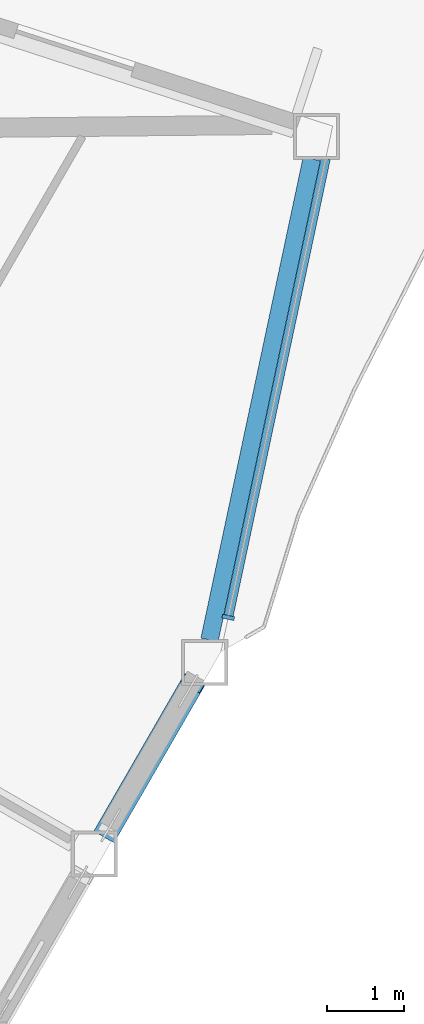
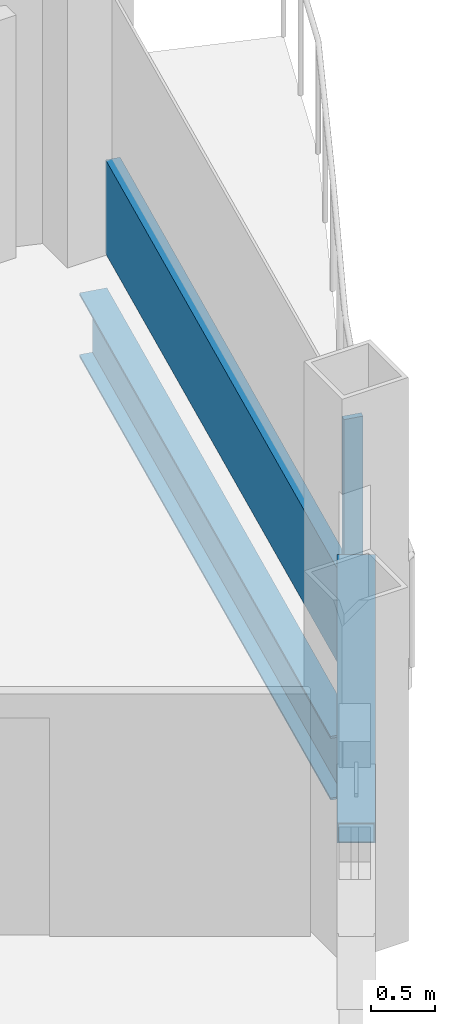
# One storey, part 8 of 27: 3 members, 1 beam, 1 element without a shape of its own.
"""IFC4 building model written with IfcOpenShell, lengths in metres."""

import ifcopenshell
import ifcopenshell.guid

model = None  # the IFC model being written
_history = None  # IfcOwnerHistory: only IFC2X3 demands one
_inside = {}  # id of a spatial element -> (the spatial element, [elements in it])
_under = {}  # id of a project, library or spatial element -> (it, [spatial elements below it])
_declared = {}  # id of a project -> (the project, [libraries it declares])
_typed = {}  # id of a type object -> (the type object, [elements of that type])
_made_of = {}  # id of a material, layer set ... -> (it, [elements and type objects made of it])


def new_model(schema):
    """Start an empty IFC model of exactly this schema.

    Asked for "IFC4X3", IfcOpenShell would pick the latest addendum, in which some entities
    have other attributes; the version numbers below select the first issue.
    IFC2X3 requires an IfcOwnerHistory on every rooted entity: one is made here for all.
    """
    global model, _history
    if schema == "IFC4X3":
        model = ifcopenshell.file(schema_version=(4, 3, 0, 0))
    else:
        model = ifcopenshell.file(schema=schema)
    _inside.clear()
    _under.clear()
    _declared.clear()
    _typed.clear()
    _made_of.clear()
    _history = None
    if model.schema == "IFC2X3":
        org = make("IfcOrganization", Name="unknown")
        user = make(
            "IfcPersonAndOrganization",
            ThePerson=make("IfcPerson", FamilyName="unknown"),
            TheOrganization=org,
        )
        app = make(
            "IfcApplication",
            ApplicationDeveloper=org,
            Version="unknown",
            ApplicationFullName="unknown",
            ApplicationIdentifier="unknown",
        )
        _history = make(
            "IfcOwnerHistory",
            OwningUser=user,
            OwningApplication=app,
            ChangeAction="ADDED",
            CreationDate=0,
        )
    return model


def make(cls, **values):
    """One entity of the class cls with the attributes given. An attribute that is None is left unset."""
    return model.create_entity(
        cls, **{name: value for name, value in values.items() if value is not None}
    )


def rooted(cls, **values):
    """An entity with a GlobalId (a new one), such as an element, a storey or a relation."""
    return make(cls, GlobalId=ifcopenshell.guid.new(), OwnerHistory=_history, **values)


def si_unit(unit_type, name, prefix=None):
    """IfcSIUnit, for example si_unit("LENGTHUNIT", "METRE", prefix="MILLI")."""
    return make("IfcSIUnit", UnitType=unit_type, Prefix=prefix, Name=name)


def assignment(units):
    """IfcUnitAssignment: the units of a project."""
    return None if units is None else make("IfcUnitAssignment", Units=units)


def point(xyz):
    """IfcCartesianPoint."""
    return None if xyz is None else make("IfcCartesianPoint", Coordinates=xyz)


def direction(xyz):
    """IfcDirection."""
    return None if xyz is None else make("IfcDirection", DirectionRatios=xyz)


def frame(location, z_axis=None, x_axis=None):
    """IfcAxis2Placement3D, a coordinate frame: its origin and axes. An axis left out is left unset."""
    return make(
        "IfcAxis2Placement3D",
        Location=point(location),
        Axis=direction(z_axis),
        RefDirection=direction(x_axis),
    )


def frame_2d(location, x_axis=None):
    """IfcAxis2Placement2D, a coordinate frame in the plane: its origin and x axis."""
    return make(
        "IfcAxis2Placement2D", Location=point(location), RefDirection=direction(x_axis)
    )


def origin():
    """The frame at (0, 0, 0) with its axes left unset."""
    return frame((0.0, 0.0, 0.0))


def origin_2d():
    """The frame at (0, 0) in the plane with its x axis left unset."""
    return frame_2d((0.0, 0.0))


def place(relative_to, where):
    """IfcLocalPlacement: puts the frame where relative to a parent placement (None: the world)."""
    return make(
        "IfcLocalPlacement", PlacementRelTo=relative_to, RelativePlacement=where
    )


def context(
    kind, dimensions, precision=None, world=None, true_north=None, identifier=None
):
    """IfcGeometricRepresentationContext, for example the 3D "Model" context."""
    return make(
        "IfcGeometricRepresentationContext",
        ContextIdentifier=identifier,
        ContextType=kind,
        CoordinateSpaceDimension=dimensions,
        Precision=precision,
        WorldCoordinateSystem=world,
        TrueNorth=true_north,
    )


def subcontext(parent, identifier, kind, view, scale=None):
    """IfcGeometricRepresentationSubContext, for example "Body" below "Model"."""
    return make(
        "IfcGeometricRepresentationSubContext",
        ContextIdentifier=identifier,
        ContextType=kind,
        ParentContext=parent,
        TargetScale=scale,
        TargetView=view,
    )


def project(units=None, contexts=None):
    """IfcProject with its units and contexts."""
    return rooted(
        "IfcProject",
        Name="project",
        RepresentationContexts=contexts,
        UnitsInContext=assignment(units),
    )


def spatial(cls, under=None, at=None, **own):
    """A site, building, storey or space (cls), placed at a placement, below another one or the project."""
    s = rooted(cls, ObjectPlacement=at, **own)
    if under is not None:
        _under.setdefault(under.id(), (under, []))[1].append(s)
    return s


def profile(cls, at=None, kind="AREA", **sizes):
    """A parametric profile (cls). Its sizes go by their IFC names, for example OverallWidth=200.0."""
    return make(cls, ProfileType=kind, Position=at, **sizes)


def rectangle(**sizes):
    """IfcRectangleProfileDef."""
    return profile("IfcRectangleProfileDef", **sizes)


def hollow_rectangle(**sizes):
    """IfcRectangleHollowProfileDef."""
    return profile("IfcRectangleHollowProfileDef", **sizes)


def i_section(**sizes):
    """IfcIShapeProfileDef."""
    return profile("IfcIShapeProfileDef", **sizes)


def extrude(swept, where, along, depth):
    """IfcExtrudedAreaSolid: the profile swept, set in the frame where, extruded along a direction by depth."""
    return make(
        "IfcExtrudedAreaSolid",
        SweptArea=swept,
        Position=where,
        ExtrudedDirection=direction(along),
        Depth=depth,
    )


def shape(context_of_items, identifier, shape_type, items):
    """IfcShapeRepresentation: the items that make up one representation, for example the "Body"."""
    return make(
        "IfcShapeRepresentation",
        ContextOfItems=context_of_items,
        RepresentationIdentifier=identifier,
        RepresentationType=shape_type,
        Items=items,
    )


def material(Name=None, Category=None):
    """IfcMaterial."""
    return make("IfcMaterial", Name=Name, Category=Category)


def layer(
    of_material, thickness, ventilated=None, Name=None, Category=None, Priority=None
):
    """IfcMaterialLayer: one layer of a wall or slab, of a material (None: an air gap)."""
    return make(
        "IfcMaterialLayer",
        Material=of_material,
        LayerThickness=thickness,
        IsVentilated=ventilated,
        Name=Name,
        Category=Category,
        Priority=Priority,
    )


def layer_set(layers, Name=None):
    """IfcMaterialLayerSet."""
    return make("IfcMaterialLayerSet", MaterialLayers=layers, LayerSetName=Name)


def material_profile(
    of_material, cross_section, Name=None, Category=None, Priority=None
):
    """IfcMaterialProfile: a cross section and its material."""
    return make(
        "IfcMaterialProfile",
        Name=Name,
        Material=of_material,
        Profile=cross_section,
        Priority=Priority,
        Category=Category,
    )


def profile_set(profiles, Name=None, composite=None):
    """IfcMaterialProfileSet."""
    return make(
        "IfcMaterialProfileSet",
        Name=Name,
        MaterialProfiles=profiles,
        CompositeProfile=composite,
    )


def made_of(thing, what):
    """Note that an element or type object is made of a material, layer set ...; save() writes the relation."""
    if what is not None:
        _made_of.setdefault(what.id(), (what, []))[1].append(thing)
    return thing


def type_object(cls, material=None, **own):
    """A type object (cls), such as IfcWallType, which elements share."""
    return made_of(rooted(cls, **own), material)


def element(
    cls,
    number,
    at=None,
    inside=None,
    cuts=None,
    type_object=None,
    material=None,
    context=None,
    identifier="Body",
    shape_type=None,
    held_by="IfcProductDefinitionShape",
    body=None,
    shapes=None,
    **own,
):
    """One element of the class cls, such as IfcWall. Its Tag is "e" and its number.

    at: its placement. inside: the storey or other place that contains it. cuts: it is an
    opening in that element (IfcRelVoidsElement). A single representation is given by context,
    identifier, shape_type and body (its items); several are given by shapes. held_by: the class
    of the entity that holds the representations. save() writes the other relations.
    """
    e = rooted(cls, Tag="e%d" % number, ObjectPlacement=at, **own)
    if body is not None:
        shapes = [shape(context, identifier, shape_type, body)]
    if shapes is not None:
        e.Representation = make(held_by, Representations=shapes)
    if inside is not None:
        _inside.setdefault(inside.id(), (inside, []))[1].append(e)
    if cuts is not None:
        rooted(
            "IfcRelVoidsElement", RelatingBuildingElement=cuts, RelatedOpeningElement=e
        )
    if type_object is not None:
        _typed.setdefault(type_object.id(), (type_object, []))[1].append(e)
    return made_of(e, material)


def aggregate(whole, parts):
    """IfcRelAggregates: a whole, such as a stair, and the parts it consists of."""
    return rooted("IfcRelAggregates", RelatingObject=whole, RelatedObjects=parts)


def save(model, path):
    """Write the relations noted so far, then the file.

    IfcRelAggregates (storeys below a building ...), IfcRelContainedInSpatialStructure (elements
    in a storey), IfcRelDefinesByType, IfcRelAssociatesMaterial and IfcRelDeclares: one each for
    every whole, place, type object, material and project.
    """
    for whole, parts in _under.values():
        aggregate(whole, parts)
    for where, things in _inside.values():
        rooted(
            "IfcRelContainedInSpatialStructure",
            RelatedElements=things,
            RelatingStructure=where,
        )
    for kind, things in _typed.values():
        rooted("IfcRelDefinesByType", RelatedObjects=things, RelatingType=kind)
    for what, things in _made_of.values():
        rooted("IfcRelAssociatesMaterial", RelatedObjects=things, RelatingMaterial=what)
    for by, libraries in _declared.values():
        rooted("IfcRelDeclares", RelatingContext=by, RelatedDefinitions=libraries)
    model.write(path)


model = new_model("IFC4")

# Units and contexts
model_context = context("Model", 3, precision=1e-05, world=origin(), true_north=direction((0.0, 1.0)))
body_context = subcontext(model_context, "Body", "Model", "MODEL_VIEW")
ifc_project = project(units=[si_unit("LENGTHUNIT", "METRE"), si_unit("AREAUNIT", "SQUARE_METRE"), si_unit("VOLUMEUNIT", "CUBIC_METRE"), si_unit("PLANEANGLEUNIT", "RADIAN"), si_unit("MASSUNIT", "GRAM", prefix="KILO")], contexts=[model_context])

# Site, building, storey
site_placement = place(None, origin())
site = spatial("IfcSite", under=ifc_project, at=site_placement, CompositionType="ELEMENT")
building_placement = place(site_placement, origin())
building = spatial("IfcBuilding", under=site, at=building_placement, Name="Cormorant Prow Tower", CompositionType="ELEMENT")
storey_placement = place(building_placement, frame((0.0, 0.0, 335.800048828125)))
storey = spatial("IfcBuildingStorey", under=building, at=storey_placement, Name="L75", CompositionType="ELEMENT", Elevation=335.800048828125)

# Member
ifc_material_1 = material(Name="Structural steel ASTM A500 Gr C", Category="steel")
ifc_material_profile_1 = material_profile(ifc_material_1, hollow_rectangle(XDim=0.3046875, YDim=0.3046875, WallThickness=0.01171875, at=origin_2d()), Name="HSS12x12x1/2")
ifc_profile_set_1 = profile_set([ifc_material_profile_1], Name="Structural steel ASTM A500 Gr C")
member_type_1 = type_object("IfcMemberType", Name="Chamfer brace HSS12x12x1/2", PredefinedType="BRACE", material=ifc_profile_set_1)
member_1_placement = place(storey_placement, frame((27.589599609375, -15.5654296875, 0.740966796875), z_axis=(0.456247183882, 0.790292391402, 0.408994429415), x_axis=(-0.866038851724, 0.499976706761, 0.0)))
element("IfcMember", 1, at=member_1_placement, inside=storey, type_object=member_type_1, Name="Chamfer brace BR3 at ESE01 L75", PredefinedType="BRACE", context=body_context, shape_type="SweptSolid", body=[
    extrude(hollow_rectangle(XDim=0.3046875, YDim=0.3046875, WallThickness=0.01171875, at=origin_2d()), origin(), (0.0, 0.0, 1.0), 2.459228515625),
])

# Curtain wall, members
ifc_material_2 = material(Name="Aluminium 6063-T6", Category="aluminium")
ifc_layer = layer(ifc_material_2, 0.159912109375)
ifc_layer_set = layer_set([ifc_layer], Name="Aluminium 6063-T6")
curtain_wall_type = type_object("IfcCurtainWallType", Name="Residential unitised curtain wall 160", PredefinedType="NOTDEFINED", material=ifc_layer_set)
curtain_wall_placement = place(storey_placement, origin())
curtain_wall = element("IfcCurtainWall", 2, at=curtain_wall_placement, inside=storey, type_object=curtain_wall_type, Name="Residential curtain wall ENE00", PredefinedType="NOTDEFINED")
ifc_material_3 = material(Name="Aluminium 6063-T6", Category="aluminium")
ifc_material_profile_2 = material_profile(ifc_material_3, rectangle(XDim=0.159912109375, YDim=0.050048828125, at=origin_2d()), Name="Residential mullion 50x160")
ifc_profile_set_2 = profile_set([ifc_material_profile_2], Name="Aluminium 6063-T6")
member_type_2 = type_object("IfcMemberType", Name="Residential mullion 50x160", PredefinedType="MULLION", material=ifc_profile_set_2)
member_2_placement = place(storey_placement, frame((29.175048828125, -12.7626953125, 0.0), z_axis=(0.0, 0.0, 1.0), x_axis=(-0.978147621523, 0.207911593013, 0.0)))
member_2 = element("IfcMember", 3, at=member_2_placement, type_object=member_type_2, Name="Residential mullion ENE00", PredefinedType="MULLION", context=body_context, shape_type="SweptSolid", body=[
    extrude(rectangle(XDim=0.159912109375, YDim=0.050048828125, at=origin_2d()), origin(), (0.0, 0.0, 1.0), 2.48779296875),
])
ifc_material_4 = material(Name="Terracotta", Category="masonry")
ifc_material_profile_3 = material_profile(ifc_material_4, rectangle(XDim=0.1201171875, YDim=0.89990234375, at=origin_2d()), Name="Residential terracotta spandrel rail 120x900")
ifc_profile_set_3 = profile_set([ifc_material_profile_3], Name="Terracotta")
member_type_3 = type_object("IfcMemberType", Name="Residential terracotta spandrel rail 120x900", PredefinedType="USERDEFINED", material=ifc_profile_set_3)
member_3_placement = place(storey_placement, frame((29.18017578125, -12.73828125, 0.449951171875), z_axis=(0.207912112226, 0.978147511161, 0.0), x_axis=(-0.978147511161, 0.207912112226, 0.0)))
member_3 = element("IfcMember", 4, at=member_3_placement, type_object=member_type_3, Name="Residential spandrel rail ENE00", ObjectType="TRANSOM", PredefinedType="USERDEFINED", context=body_context, shape_type="SweptSolid", body=[
    extrude(rectangle(XDim=0.1201171875, YDim=0.89990234375, at=origin_2d()), origin(), (0.0, 0.0, 1.0), 6.074462890625),
])
aggregate(curtain_wall, [member_2, member_3])

# Beam
ifc_material_5 = material(Name="Structural steel ASTM A992 Gr 50", Category="steel")
ifc_material_profile_4 = material_profile(ifc_material_5, i_section(OverallWidth=0.22900390625, OverallDepth=0.612060546875, WebThickness=0.011962890625, FlangeThickness=0.01953125, at=origin_2d()), Name="W24x84")
ifc_profile_set_4 = profile_set([ifc_material_profile_4], Name="Structural steel ASTM A992 Gr 50")
beam_type = type_object("IfcBeamType", Name="Spandrel beam W24x84", PredefinedType="SPANDREL", material=ifc_profile_set_4)
beam_placement = place(storey_placement, frame((28.931640625, -13.055908203125, -0.606201171875), z_axis=(0.20791262393, 0.978147402394, 0.0), x_axis=(-0.978147402394, 0.20791262393, 0.0)))
element("IfcBeam", 5, at=beam_placement, inside=storey, type_object=beam_type, Name="Spandrel beam SB3 ENE00-ENE01 L75", PredefinedType="SPANDREL", context=body_context, shape_type="SweptSolid", body=[
    extrude(i_section(OverallWidth=0.22900390625, OverallDepth=0.612060546875, WebThickness=0.011962890625, FlangeThickness=0.01953125, at=origin_2d()), origin(), (0.0, 0.0, 1.0), 6.396240234375),
])

save(model, "model.ifc")
